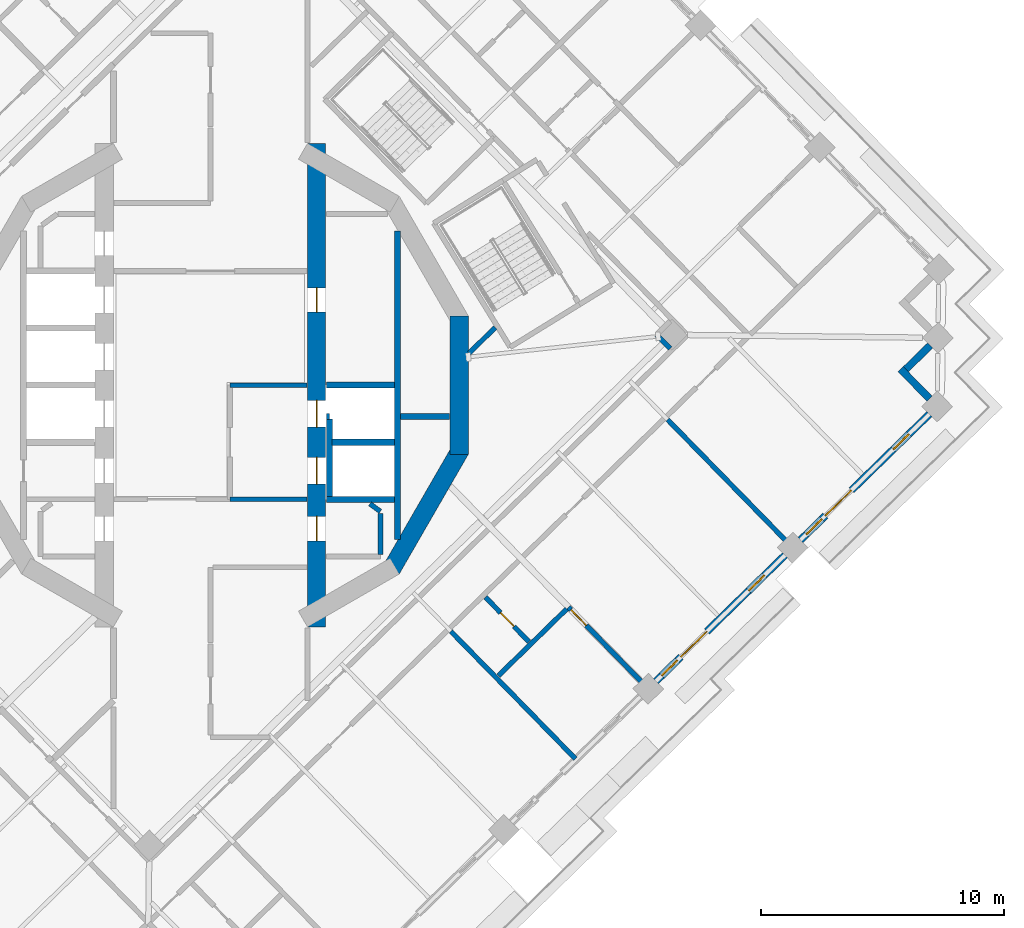
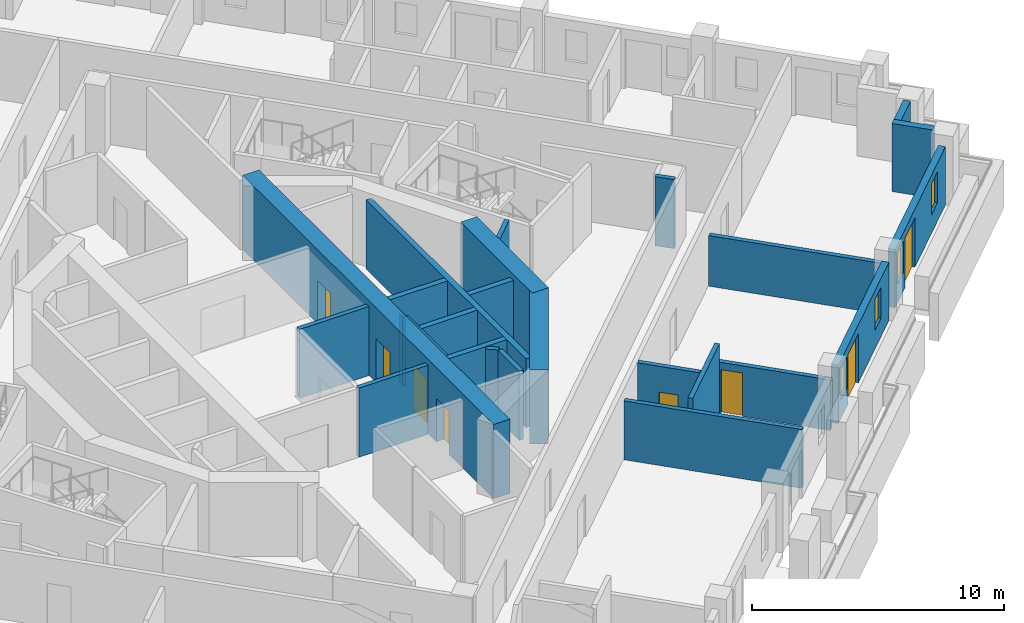
# One storey, part 7 of 17: 25 walls, 8 doors, 4 windows, 12 openings.
"""IFC4 building model written with IfcOpenShell, lengths in metres."""

from ifc_helpers import new_model, si_unit, direction, frame, frame_2d, origin, place, context, subcontext, project, spatial, rectangle, extrude, material, layer, layer_set, type_object, element, fill, save


model = new_model("IFC4")

# Units and contexts
model_context = context("Model", 3, precision=1e-05, world=origin(), true_north=direction((0.0, 1.0)))
body_context = subcontext(model_context, "Body", "Model", "MODEL_VIEW")
ifc_project = project(units=[si_unit("LENGTHUNIT", "METRE"), si_unit("AREAUNIT", "SQUARE_METRE"), si_unit("VOLUMEUNIT", "CUBIC_METRE"), si_unit("PLANEANGLEUNIT", "RADIAN"), si_unit("MASSUNIT", "GRAM", prefix="KILO")], contexts=[model_context])

# Site, building, storey
site_placement = place(None, origin())
site = spatial("IfcSite", under=ifc_project, at=site_placement, CompositionType="ELEMENT")
building_placement = place(site_placement, origin())
building = spatial("IfcBuilding", under=site, at=building_placement, Name="Cantera Rosa Tower", CompositionType="ELEMENT")
storey_placement = place(building_placement, frame((0.0, 0.0, 227.0)))
storey = spatial("IfcBuildingStorey", under=building, at=storey_placement, Name="L49", CompositionType="ELEMENT", Elevation=227.0)

# Walls
ifc_material_1 = material(Name="Hollow clay masonry with cantera stone cladding", Category="masonry")
ifc_layer_1 = layer(ifc_material_1, 0.300048828125)
ifc_layer_set_1 = layer_set([ifc_layer_1], Name="EW-LOGGIA 300")
wall_type_1 = type_object("IfcWallType", Name="EW-LOGGIA 300", PredefinedType="SOLIDWALL", material=ifc_layer_set_1)
wall_1_placement = place(storey_placement, frame((29.623291015625, -0.556884765625, 0.0), z_axis=(0.0, 0.0, 1.0), x_axis=(-0.69880105094, 0.715316077832, 0.0)))
element("IfcWall", 1, at=wall_1_placement, inside=storey, type_object=wall_type_1, Name="EN-L49-W26a", PredefinedType="SOLIDWALL", context=body_context, shape_type="SweptSolid", body=[
    extrude(rectangle(XDim=1.699951171875, YDim=0.300048828125, at=frame_2d((0.85009765625, 0.0))), origin(), (0.0, 0.0, 1.0), 3.300048828125),
])
wall_2_placement = place(storey_placement, frame((28.6474609375, 0.65673828125, 0.0), z_axis=(0.0, 0.0, 1.0), x_axis=(0.715341715727, 0.698774806172, 0.0)))
element("IfcWall", 2, at=wall_2_placement, inside=storey, type_object=wall_type_1, Name="EN-L49-W26b", PredefinedType="SOLIDWALL", context=body_context, shape_type="SweptSolid", body=[
    extrude(rectangle(XDim=1.39990234375, YDim=0.300048828125, at=frame_2d((0.699951171875, 0.0))), origin(), (0.0, 0.0, 1.0), 3.300048828125),
])

# Wall, openings, windows, door
ifc_material_2 = material(Name="Hollow clay masonry with cantera stone cladding", Category="masonry")
ifc_layer_2 = layer(ifc_material_2, 0.300048828125)
ifc_layer_set_2 = layer_set([ifc_layer_2], Name="EW-LOGGIA 300 H2820")
wall_type_2 = type_object("IfcWallType", Name="EW-LOGGIA 300 H2820", PredefinedType="SOLIDWALL", material=ifc_layer_set_2)
wall_3_placement = place(storey_placement, frame((18.357177734375, -12.19287109375, 0.0), z_axis=(0.0, 0.0, 1.0), x_axis=(0.715300826176, 0.698816662703, 0.0)))
wall_3 = element("IfcWall", 3, at=wall_3_placement, inside=storey, type_object=wall_type_2, Name="EN-L49-W24", PredefinedType="SOLIDWALL", context=body_context, shape_type="SweptSolid", body=[
    extrude(rectangle(XDim=7.420166015625, YDim=0.300048828125, at=frame_2d((3.7099609375, 0.0))), origin(), (0.0, 0.0, 1.0), 2.820068359375),
])
opening_1_placement = place(wall_3_placement, frame((0.330078125, 0.0, 0.89990234375)))
opening_1 = element("IfcOpeningElement", 4, at=opening_1_placement, cuts=wall_3, Name="Opening L49-W46", PredefinedType="OPENING", context=body_context, shape_type="SweptSolid", body=[
    extrude(rectangle(XDim=0.89990234375, YDim=1.5, at=frame_2d((0.449951171875, 0.75))), frame((0.0, 0.159912109375, 0.0), z_axis=(0.0, -1.0, 0.0), x_axis=(1.0, 0.0, 0.0)), (0.0, 0.0, 1.0), 0.320068359375),
])
opening_2_placement = place(wall_3_placement, frame((1.429931640625, 0.0, 0.0)))
opening_2 = element("IfcOpeningElement", 5, at=opening_2_placement, cuts=wall_3, Name="Opening L49-TD47", PredefinedType="OPENING", context=body_context, shape_type="SweptSolid", body=[
    extrude(rectangle(XDim=1.5, YDim=2.39990234375, at=frame_2d((0.75, 1.199951171875))), frame((0.0, 0.159912109375, 0.0), z_axis=(0.0, -1.0, 0.0), x_axis=(1.0, 0.0, 0.0)), (0.0, 0.0, 1.0), 0.320068359375),
])
opening_3_placement = place(wall_3_placement, frame((5.340087890625, 0.0, 0.89990234375)))
opening_3 = element("IfcOpeningElement", 6, at=opening_3_placement, cuts=wall_3, Name="Opening L49-W48", PredefinedType="OPENING", context=body_context, shape_type="SweptSolid", body=[
    extrude(rectangle(XDim=0.89990234375, YDim=1.5, at=frame_2d((0.449951171875, 0.75))), frame((0.0, 0.159912109375, 0.0), z_axis=(0.0, -1.0, 0.0), x_axis=(1.0, 0.0, 0.0)), (0.0, 0.0, 1.0), 0.320068359375),
])
ifc_material_3 = material(Name="Aluminium frame with clear glass", Category="aluminium")
window_type = type_object("IfcWindowType", Name="Residential window 900x1500", PartitioningType="SINGLE_PANEL", PredefinedType="WINDOW", material=ifc_material_3)
window_1_placement = place(opening_1_placement, origin())
window_1 = element("IfcWindow", 7, at=window_1_placement, inside=storey, type_object=window_type, Name="WINDOW L49-W46", OverallHeight=1.5, OverallWidth=0.89990234375, PartitioningType="SINGLE_PANEL", PredefinedType="WINDOW", context=body_context, shape_type="SweptSolid", body=[
    extrude(rectangle(XDim=0.89990234375, YDim=1.5, at=frame_2d((0.449951171875, 0.75))), frame((0.0, 0.030029296875, 0.0), z_axis=(0.0, -1.0, 0.0), x_axis=(1.0, 0.0, 0.0)), (0.0, 0.0, 1.0), 0.06005859375),
])
fill(opening_1, window_1)
window_2_placement = place(opening_3_placement, origin())
window_2 = element("IfcWindow", 8, at=window_2_placement, inside=storey, type_object=window_type, Name="WINDOW L49-W48", OverallHeight=1.5, OverallWidth=0.89990234375, PartitioningType="SINGLE_PANEL", PredefinedType="WINDOW", context=body_context, shape_type="SweptSolid", body=[
    extrude(rectangle(XDim=0.89990234375, YDim=1.5, at=frame_2d((0.449951171875, 0.75))), frame((0.0, 0.030029296875, 0.0), z_axis=(0.0, -1.0, 0.0), x_axis=(1.0, 0.0, 0.0)), (0.0, 0.0, 1.0), 0.06005859375),
])
fill(opening_3, window_2)
ifc_material_4 = material(Name="Aluminium frame with clear glass", Category="aluminium")
door_type_1 = type_object("IfcDoorType", Name="TD-R 1500x2400", OperationType="NOTDEFINED", PredefinedType="DOOR", material=ifc_material_4)
door_1_placement = place(opening_2_placement, origin())
door_1 = element("IfcDoor", 9, at=door_1_placement, inside=storey, type_object=door_type_1, Name="LOGGIA DOOR L49-TD47", OperationType="SLIDING_TO_LEFT", OverallHeight=2.39990234375, OverallWidth=1.5, PredefinedType="DOOR", context=body_context, shape_type="SweptSolid", body=[
    extrude(rectangle(XDim=1.5, YDim=2.39990234375, at=frame_2d((0.75, 1.199951171875))), frame((0.0, 0.02490234375, 0.0), z_axis=(0.0, -1.0, 0.0), x_axis=(1.0, 0.0, 0.0)), (0.0, 0.0, 1.0), 0.050048828125),
])
fill(opening_2, door_1)

wall_4_placement = place(storey_placement, frame((24.308349609375, -6.37841796875, 0.0), z_axis=(0.0, 0.0, 1.0), x_axis=(0.715300826176, 0.698816662703, 0.0)))
wall_4 = element("IfcWall", 10, at=wall_4_placement, inside=storey, type_object=wall_type_2, Name="EN-L49-W25", PredefinedType="SOLIDWALL", context=body_context, shape_type="SweptSolid", body=[
    extrude(rectangle(XDim=7.420166015625, YDim=0.300048828125, at=frame_2d((3.7099609375, 0.0))), origin(), (0.0, 0.0, 1.0), 2.820068359375),
])
opening_4_placement = place(wall_4_placement, frame((0.330078125, 0.0, 0.89990234375)))
opening_4 = element("IfcOpeningElement", 11, at=opening_4_placement, cuts=wall_4, Name="Opening L49-W49", PredefinedType="OPENING", context=body_context, shape_type="SweptSolid", body=[
    extrude(rectangle(XDim=0.89990234375, YDim=1.5, at=frame_2d((0.449951171875, 0.75))), frame((0.0, 0.159912109375, 0.0), z_axis=(0.0, -1.0, 0.0), x_axis=(1.0, 0.0, 0.0)), (0.0, 0.0, 1.0), 0.320068359375),
])
opening_5_placement = place(wall_4_placement, frame((1.429931640625, 0.0, 0.0)))
opening_5 = element("IfcOpeningElement", 12, at=opening_5_placement, cuts=wall_4, Name="Opening L49-TD50", PredefinedType="OPENING", context=body_context, shape_type="SweptSolid", body=[
    extrude(rectangle(XDim=1.5, YDim=2.39990234375, at=frame_2d((0.75, 1.199951171875))), frame((0.0, 0.159912109375, 0.0), z_axis=(0.0, -1.0, 0.0), x_axis=(1.0, 0.0, 0.0)), (0.0, 0.0, 1.0), 0.320068359375),
])
opening_6_placement = place(wall_4_placement, frame((5.340087890625, 0.0, 0.89990234375)))
opening_6 = element("IfcOpeningElement", 13, at=opening_6_placement, cuts=wall_4, Name="Opening L49-W51", PredefinedType="OPENING", context=body_context, shape_type="SweptSolid", body=[
    extrude(rectangle(XDim=0.89990234375, YDim=1.5, at=frame_2d((0.449951171875, 0.75))), frame((0.0, 0.159912109375, 0.0), z_axis=(0.0, -1.0, 0.0), x_axis=(1.0, 0.0, 0.0)), (0.0, 0.0, 1.0), 0.320068359375),
])
window_3_placement = place(opening_4_placement, origin())
window_3 = element("IfcWindow", 14, at=window_3_placement, inside=storey, type_object=window_type, Name="WINDOW L49-W49", OverallHeight=1.5, OverallWidth=0.89990234375, PartitioningType="SINGLE_PANEL", PredefinedType="WINDOW", context=body_context, shape_type="SweptSolid", body=[
    extrude(rectangle(XDim=0.89990234375, YDim=1.5, at=frame_2d((0.449951171875, 0.75))), frame((0.0, 0.030029296875, 0.0), z_axis=(0.0, -1.0, 0.0), x_axis=(1.0, 0.0, 0.0)), (0.0, 0.0, 1.0), 0.06005859375),
])
fill(opening_4, window_3)
window_4_placement = place(opening_6_placement, origin())
window_4 = element("IfcWindow", 15, at=window_4_placement, inside=storey, type_object=window_type, Name="WINDOW L49-W51", OverallHeight=1.5, OverallWidth=0.89990234375, PartitioningType="SINGLE_PANEL", PredefinedType="WINDOW", context=body_context, shape_type="SweptSolid", body=[
    extrude(rectangle(XDim=0.89990234375, YDim=1.5, at=frame_2d((0.449951171875, 0.75))), frame((0.0, 0.030029296875, 0.0), z_axis=(0.0, -1.0, 0.0), x_axis=(1.0, 0.0, 0.0)), (0.0, 0.0, 1.0), 0.06005859375),
])
fill(opening_6, window_4)
door_2_placement = place(opening_5_placement, origin())
door_2 = element("IfcDoor", 16, at=door_2_placement, inside=storey, type_object=door_type_1, Name="LOGGIA DOOR L49-TD50", OperationType="SLIDING_TO_LEFT", OverallHeight=2.39990234375, OverallWidth=1.5, PredefinedType="DOOR", context=body_context, shape_type="SweptSolid", body=[
    extrude(rectangle(XDim=1.5, YDim=2.39990234375, at=frame_2d((0.75, 1.199951171875))), frame((0.0, 0.02490234375, 0.0), z_axis=(0.0, -1.0, 0.0), x_axis=(1.0, 0.0, 0.0)), (0.0, 0.0, 1.0), 0.050048828125),
])
fill(opening_5, door_2)

# Wall, opening, door
ifc_material_5 = material(Name="Gypsum board partition")
ifc_layer_3 = layer(ifc_material_5, 0.199951171875)
ifc_layer_set_3 = layer_set([ifc_layer_3], Name="PARTITION 200 H2450")
wall_type_3 = type_object("IfcWallType", Name="PARTITION 200 H2450", PredefinedType="PARTITIONING", material=ifc_layer_set_3)
wall_5_placement = place(storey_placement, frame((14.7509765625, -9.1455078125, 0.0), z_axis=(0.0, 0.0, 1.0), x_axis=(0.698824761261, -0.71529291416, 0.0)))
wall_5 = element("IfcWall", 17, at=wall_5_placement, inside=storey, type_object=wall_type_3, Name="PARTITION L49-110", PredefinedType="PARTITIONING", context=body_context, shape_type="SweptSolid", body=[
    extrude(rectangle(XDim=4.669921875, YDim=0.199951171875, at=frame_2d((2.3349609375, 0.0))), origin(), (0.0, 0.0, 1.0), 2.449951171875),
])
opening_7_placement = place(wall_5_placement, frame((0.14990234375, 0.0, 0.0)))
opening_7 = element("IfcOpeningElement", 18, at=opening_7_placement, cuts=wall_5, Name="Opening L49-046", PredefinedType="OPENING", context=body_context, shape_type="SweptSolid", body=[
    extrude(rectangle(XDim=0.89990234375, YDim=2.10009765625, at=frame_2d((0.449951171875, 1.050048828125))), frame((0.0, 0.10986328125, 0.0), z_axis=(0.0, -1.0, 0.0), x_axis=(1.0, 0.0, 0.0)), (0.0, 0.0, 1.0), 0.219970703125),
])
ifc_material_6 = material(Name="Timber door leaf", Category="wood")
door_type_2 = type_object("IfcDoorType", Name="ROOM DOOR 900x2100", OperationType="NOTDEFINED", PredefinedType="DOOR", material=ifc_material_6)
door_3_placement = place(opening_7_placement, origin())
door_3 = element("IfcDoor", 19, at=door_3_placement, inside=storey, type_object=door_type_2, Name="DOOR L49-046", OperationType="NOTDEFINED", OverallHeight=2.10009765625, OverallWidth=0.89990234375, PredefinedType="DOOR", context=body_context, shape_type="SweptSolid", body=[
    extrude(rectangle(XDim=0.89990234375, YDim=2.10009765625, at=frame_2d((0.449951171875, 1.050048828125))), frame((0.0, 0.02490234375, 0.0), z_axis=(0.0, -1.0, 0.0), x_axis=(1.0, 0.0, 0.0)), (0.0, 0.0, 1.0), 0.050048828125),
])
fill(opening_7, door_3)

# Walls
ifc_material_7 = material(Name="Gypsum board partition")
ifc_layer_4 = layer(ifc_material_7, 0.199951171875)
ifc_layer_set_4 = layer_set([ifc_layer_4], Name="PARTITION 200 H3350")
wall_type_4 = type_object("IfcWallType", Name="PARTITION 200 H3350", PredefinedType="PARTITIONING", material=ifc_layer_set_4)
wall_6_placement = place(storey_placement, frame((6.572509765625, -4.888427734375, 0.0), z_axis=(0.0, 0.0, 1.0), x_axis=(0.808176867567, -0.588939853236, 0.0)))
element("IfcWall", 20, at=wall_6_placement, inside=storey, type_object=wall_type_4, Name="PARTITION L49-081", PredefinedType="PARTITIONING", context=body_context, shape_type="SweptSolid", body=[
    extrude(rectangle(XDim=0.529052734375, YDim=0.199951171875, at=frame_2d((0.2646484375, 0.0))), origin(), (0.0, 0.0, 1.0), 3.35009765625),
])
wall_7_placement = place(storey_placement, frame((7.0, -5.280029296875, 0.0), z_axis=(0.0, 0.0, 1.0), x_axis=(0.0, -1.0, 0.0)))
element("IfcWall", 21, at=wall_7_placement, inside=storey, type_object=wall_type_4, Name="PARTITION L49-084", PredefinedType="PARTITIONING", context=body_context, shape_type="SweptSolid", body=[
    extrude(rectangle(XDim=1.68994140625, YDim=0.199951171875, at=frame_2d((0.844970703125, 0.0))), origin(), (0.0, 0.0, 1.0), 3.35009765625),
])
wall_8_placement = place(storey_placement, frame((10.6552734375, 1.32275390625, 0.0), z_axis=(0.0, 0.0, 1.0), x_axis=(0.715227626276, 0.698891581443, 0.0)))
element("IfcWall", 22, at=wall_8_placement, inside=storey, type_object=wall_type_4, Name="PARTITION L49-095", PredefinedType="PARTITIONING", context=body_context, shape_type="SweptSolid", body=[
    extrude(rectangle(XDim=1.509521484375, YDim=0.199951171875, at=frame_2d((0.7548828125, 0.0))), origin(), (0.0, 0.0, 1.0), 3.35009765625),
])

# Wall, opening, door
wall_9_placement = place(storey_placement, frame((11.3330078125, -8.73779296875, 0.0), z_axis=(0.0, 0.0, 1.0), x_axis=(0.698809886965, -0.715307445705, 0.0)))
wall_9 = element("IfcWall", 23, at=wall_9_placement, inside=storey, type_object=wall_type_4, Name="PARTITION L49-097", PredefinedType="PARTITIONING", context=body_context, shape_type="SweptSolid", body=[
    extrude(rectangle(XDim=2.56005859375, YDim=0.199951171875, at=frame_2d((1.280029296875, 0.0))), origin(), (0.0, 0.0, 1.0), 3.35009765625),
])
opening_8_placement = place(wall_9_placement, frame((0.8798828125, 0.0, 0.0)))
opening_8 = element("IfcOpeningElement", 24, at=opening_8_placement, cuts=wall_9, Name="Opening L49-045", PredefinedType="OPENING", context=body_context, shape_type="SweptSolid", body=[
    extrude(rectangle(XDim=0.800048828125, YDim=2.10009765625, at=frame_2d((0.39990234375, 1.050048828125))), frame((0.0, 0.10986328125, 0.0), z_axis=(0.0, -1.0, 0.0), x_axis=(1.0, 0.0, 0.0)), (0.0, 0.0, 1.0), 0.219970703125),
])
ifc_material_8 = material(Name="Timber door leaf", Category="wood")
door_type_3 = type_object("IfcDoorType", Name="BATHROOM DOOR 800x2100", OperationType="NOTDEFINED", PredefinedType="DOOR", material=ifc_material_8)
door_4_placement = place(opening_8_placement, origin())
door_4 = element("IfcDoor", 25, at=door_4_placement, inside=storey, type_object=door_type_3, Name="DOOR L49-045", OperationType="NOTDEFINED", OverallHeight=2.10009765625, OverallWidth=0.800048828125, PredefinedType="DOOR", context=body_context, shape_type="SweptSolid", body=[
    extrude(rectangle(XDim=0.800048828125, YDim=2.10009765625, at=frame_2d((0.39990234375, 1.050048828125))), frame((0.0, 0.02490234375, 0.0), z_axis=(0.0, -1.0, 0.0), x_axis=(1.0, 0.0, 0.0)), (0.0, 0.0, 1.0), 0.050048828125),
])
fill(opening_8, door_4)

# Walls
wall_10_placement = place(storey_placement, frame((14.679443359375, -9.21533203125, 0.0), z_axis=(0.0, 0.0, 1.0), x_axis=(-0.715299823185, -0.698817689352, 0.0)))
element("IfcWall", 26, at=wall_10_placement, inside=storey, type_object=wall_type_4, Name="PARTITION L49-109", PredefinedType="PARTITIONING", context=body_context, shape_type="SweptSolid", body=[
    extrude(rectangle(XDim=3.940185546875, YDim=0.199951171875, at=frame_2d((1.97021484375, 0.0))), origin(), (0.0, 0.0, 1.0), 3.35009765625),
])
wall_11_placement = place(storey_placement, frame((18.375, 2.08447265625, 0.0), z_axis=(0.0, 0.0, 1.0), x_axis=(0.698819420598, -0.715298131827, 0.0)))
element("IfcWall", 27, at=wall_11_placement, inside=storey, type_object=wall_type_4, Name="PARTITION L49-114", PredefinedType="PARTITIONING", context=body_context, shape_type="SweptSolid", body=[
    extrude(rectangle(XDim=0.800048828125, YDim=0.199951171875, at=frame_2d((0.39990234375, 0.0))), origin(), (0.0, 0.0, 1.0), 3.35009765625),
])
ifc_material_9 = material(Name="Gypsum board partition")
ifc_layer_5 = layer(ifc_material_9, 0.199951171875)
ifc_layer_set_5 = layer_set([ifc_layer_5], Name="PARTY WALL 200 H2450")
wall_type_5 = type_object("IfcWallType", Name="PARTY WALL 200 H2450", PredefinedType="PARTITIONING", material=ifc_layer_set_5)
wall_12_placement = place(storey_placement, frame((18.8291015625, -1.414306640625, 0.0), z_axis=(0.0, 0.0, 1.0), x_axis=(0.698854556514, -0.71526380367, 0.0)))
element("IfcWall", 28, at=wall_12_placement, inside=storey, type_object=wall_type_5, Name="PARTY WALL L49-115", PredefinedType="PARTITIONING", context=body_context, shape_type="SweptSolid", body=[
    extrude(rectangle(XDim=7.349853515625, YDim=0.199951171875, at=frame_2d((3.6748046875, 0.0))), origin(), (0.0, 0.0, 1.0), 2.449951171875),
])
ifc_material_10 = material(Name="Gypsum board partition")
ifc_layer_6 = layer(ifc_material_10, 0.199951171875)
ifc_layer_set_6 = layer_set([ifc_layer_6], Name="PARTY WALL 200 H2850")
wall_type_6 = type_object("IfcWallType", Name="PARTY WALL 200 H2850", PredefinedType="PARTITIONING", material=ifc_layer_set_6)
wall_13_placement = place(storey_placement, frame((9.90234375, -10.135498046875, 0.0), z_axis=(0.0, 0.0, 1.0), x_axis=(0.698821349183, -0.715296247667, 0.0)))
element("IfcWall", 29, at=wall_13_placement, inside=storey, type_object=wall_type_6, Name="PARTY WALL L49-094", PredefinedType="PARTITIONING", context=body_context, shape_type="SweptSolid", body=[
    extrude(rectangle(XDim=7.35009765625, YDim=0.199951171875, at=frame_2d((3.675048828125, 0.0))), origin(), (0.0, 0.0, 1.0), 2.85009765625),
])
ifc_material_11 = material(Name="Concrete C60/75", Category="concrete")
ifc_layer_7 = layer(ifc_material_11, 0.75)
ifc_layer_set_7 = layer_set([ifc_layer_7], Name="RC CORE WALL 750 C60/75")
wall_type_7 = type_object("IfcWallType", Name="RC CORE WALL 750 C60/75", PredefinedType="SHEAR", material=ifc_layer_set_7)
wall_14_placement = place(storey_placement, frame((10.250244140625, 2.846923828125, 0.0), z_axis=(0.0, 0.0, 1.0), x_axis=(0.0, -1.0, 0.0)))
element("IfcWall", 30, at=wall_14_placement, inside=storey, type_object=wall_type_7, Name="CW-E3 L49", PredefinedType="SHEAR", context=body_context, shape_type="SweptSolid", body=[
    extrude(rectangle(XDim=5.69384765625, YDim=0.75, at=frame_2d((2.846923828125, 0.0))), origin(), (0.0, 0.0, 1.0), 3.60009765625),
])
wall_15_placement = place(storey_placement, frame((10.300537109375, -2.659423828125, 0.0), z_axis=(0.0, 0.0, 1.0), x_axis=(-0.500021842983, -0.866012792365, 0.0)))
element("IfcWall", 31, at=wall_15_placement, inside=storey, type_object=wall_type_7, Name="CW-E4 L49", PredefinedType="SHEAR", context=body_context, shape_type="SweptSolid", body=[
    extrude(rectangle(XDim=5.694091796875, YDim=0.75, at=frame_2d((2.84716796875, 0.0))), origin(), (0.0, 0.0, 1.0), 3.60009765625),
])

# Wall, openings, doors
wall_16_placement = place(storey_placement, frame((4.375, -9.95947265625, 0.0), z_axis=(0.0, 0.0, 1.0), x_axis=(0.0, 1.0, 0.0)))
wall_16 = element("IfcWall", 32, at=wall_16_placement, inside=storey, type_object=wall_type_7, Name="CW-E6 L49", PredefinedType="SHEAR", context=body_context, shape_type="SweptSolid", body=[
    extrude(rectangle(XDim=19.9189453125, YDim=0.75, at=frame_2d((9.95947265625, 0.0))), origin(), (0.0, 0.0, 1.0), 3.60009765625),
])
opening_9_placement = place(wall_16_placement, frame((5.884521484375, 0.0, 0.0)))
opening_9 = element("IfcOpeningElement", 33, at=opening_9_placement, cuts=wall_16, Name="Opening LD-FF1-L49", PredefinedType="OPENING", context=body_context, shape_type="SweptSolid", body=[
    extrude(rectangle(XDim=1.10009765625, YDim=2.10009765625, at=frame_2d((0.550048828125, 1.050048828125))), frame((0.0, 0.385009765625, 0.0), z_axis=(0.0, -1.0, 0.0), x_axis=(1.0, 0.0, 0.0)), (0.0, 0.0, 1.0), 0.77001953125),
])
opening_10_placement = place(wall_16_placement, frame((8.234619140625, 0.0, 0.0)))
opening_10 = element("IfcOpeningElement", 34, at=opening_10_placement, cuts=wall_16, Name="Opening LD-FF2-L49", PredefinedType="OPENING", context=body_context, shape_type="SweptSolid", body=[
    extrude(rectangle(XDim=1.10009765625, YDim=2.10009765625, at=frame_2d((0.550048828125, 1.050048828125))), frame((0.0, 0.385009765625, 0.0), z_axis=(0.0, -1.0, 0.0), x_axis=(1.0, 0.0, 0.0)), (0.0, 0.0, 1.0), 0.77001953125),
])
opening_11_placement = place(wall_16_placement, frame((3.55078125, 0.0, 0.0)))
opening_11 = element("IfcOpeningElement", 35, at=opening_11_placement, cuts=wall_16, Name="Opening SD-L49-23", PredefinedType="OPENING", context=body_context, shape_type="SweptSolid", body=[
    extrude(rectangle(XDim=1.0, YDim=2.10009765625, at=frame_2d((0.5, 1.050048828125))), frame((0.0, 0.385009765625, 0.0), z_axis=(0.0, -1.0, 0.0), x_axis=(1.0, 0.0, 0.0)), (0.0, 0.0, 1.0), 0.77001953125),
])
opening_12_placement = place(wall_16_placement, frame((12.9658203125, 0.0, 0.0)))
opening_12 = element("IfcOpeningElement", 36, at=opening_12_placement, cuts=wall_16, Name="Opening SD-L49-24", PredefinedType="OPENING", context=body_context, shape_type="SweptSolid", body=[
    extrude(rectangle(XDim=1.0, YDim=2.10009765625, at=frame_2d((0.5, 1.050048828125))), frame((0.0, 0.385009765625, 0.0), z_axis=(0.0, -1.0, 0.0), x_axis=(1.0, 0.0, 0.0)), (0.0, 0.0, 1.0), 0.77001953125),
])
ifc_material_12 = material(Name="Steel S355J2 (EN 10025-2)", Category="steel")
door_type_4 = type_object("IfcDoorType", Name="LANDING DOOR 1100x2100", OperationType="NOTDEFINED", PredefinedType="DOOR", material=ifc_material_12)
door_5_placement = place(opening_9_placement, origin())
door_5 = element("IfcDoor", 37, at=door_5_placement, inside=storey, type_object=door_type_4, Name="LANDING DOOR FF1 L49", OperationType="SLIDING_TO_LEFT", OverallHeight=2.10009765625, OverallWidth=1.10009765625, PredefinedType="DOOR", context=body_context, shape_type="SweptSolid", body=[
    extrude(rectangle(XDim=1.10009765625, YDim=2.10009765625, at=frame_2d((0.550048828125, 1.050048828125))), frame((0.0, 0.02490234375, 0.0), z_axis=(0.0, -1.0, 0.0), x_axis=(1.0, 0.0, 0.0)), (0.0, 0.0, 1.0), 0.050048828125),
])
fill(opening_9, door_5)
door_6_placement = place(opening_10_placement, origin())
door_6 = element("IfcDoor", 38, at=door_6_placement, inside=storey, type_object=door_type_4, Name="LANDING DOOR FF2 L49", OperationType="SLIDING_TO_LEFT", OverallHeight=2.10009765625, OverallWidth=1.10009765625, PredefinedType="DOOR", context=body_context, shape_type="SweptSolid", body=[
    extrude(rectangle(XDim=1.10009765625, YDim=2.10009765625, at=frame_2d((0.550048828125, 1.050048828125))), frame((0.0, 0.02490234375, 0.0), z_axis=(0.0, -1.0, 0.0), x_axis=(1.0, 0.0, 0.0)), (0.0, 0.0, 1.0), 0.050048828125),
])
fill(opening_10, door_6)
ifc_material_13 = material(Name="Timber door leaf", Category="wood")
door_type_5 = type_object("IfcDoorType", Name="SERVICE DOOR 1000x2100", OperationType="NOTDEFINED", PredefinedType="DOOR", material=ifc_material_13)
door_7_placement = place(opening_11_placement, origin())
door_7 = element("IfcDoor", 39, at=door_7_placement, inside=storey, type_object=door_type_5, Name="DOOR L49-SD23", OperationType="NOTDEFINED", OverallHeight=2.10009765625, OverallWidth=1.0, PredefinedType="DOOR", context=body_context, shape_type="SweptSolid", body=[
    extrude(rectangle(XDim=1.0, YDim=2.10009765625, at=frame_2d((0.5, 1.050048828125))), frame((0.0, 0.02490234375, 0.0), z_axis=(0.0, -1.0, 0.0), x_axis=(1.0, 0.0, 0.0)), (0.0, 0.0, 1.0), 0.050048828125),
])
fill(opening_11, door_7)
door_8_placement = place(opening_12_placement, origin())
door_8 = element("IfcDoor", 40, at=door_8_placement, inside=storey, type_object=door_type_5, Name="DOOR L49-SD24", OperationType="NOTDEFINED", OverallHeight=2.10009765625, OverallWidth=1.0, PredefinedType="DOOR", context=body_context, shape_type="SweptSolid", body=[
    extrude(rectangle(XDim=1.0, YDim=2.10009765625, at=frame_2d((0.5, 1.050048828125))), frame((0.0, 0.02490234375, 0.0), z_axis=(0.0, -1.0, 0.0), x_axis=(1.0, 0.0, 0.0)), (0.0, 0.0, 1.0), 0.050048828125),
])
fill(opening_12, door_8)

# Walls
ifc_material_14 = material(Name="Masonry blockwork", Category="masonry")
ifc_layer_8 = layer(ifc_material_14, 0.25)
ifc_layer_set_8 = layer_set([ifc_layer_8], Name="SHAFT WALL 250 H3350")
wall_type_8 = type_object("IfcWallType", Name="SHAFT WALL 250 H3350", PredefinedType="SOLIDWALL", material=ifc_layer_set_8)
wall_17_placement = place(storey_placement, frame((4.780029296875, -1.28271484375, 0.0), z_axis=(0.0, 0.0, 1.0), x_axis=(1.0, 0.0, 0.0)))
element("IfcWall", 41, at=wall_17_placement, inside=storey, type_object=wall_type_8, Name="SHAFT WALL L49-076", PredefinedType="SOLIDWALL", context=body_context, shape_type="SweptSolid", body=[
    extrude(rectangle(XDim=0.119873046875, YDim=0.25, at=frame_2d((0.06005859375, 0.0))), origin(), (0.0, 0.0, 1.0), 3.35009765625),
])
wall_18_placement = place(storey_placement, frame((4.89990234375, -1.402587890625, 0.0), z_axis=(0.0, 0.0, 1.0), x_axis=(0.0, -1.0, 0.0)))
element("IfcWall", 42, at=wall_18_placement, inside=storey, type_object=wall_type_8, Name="SHAFT WALL L49-078", PredefinedType="SOLIDWALL", context=body_context, shape_type="SweptSolid", body=[
    extrude(rectangle(XDim=3.17236328125, YDim=0.25, at=frame_2d((1.586181640625, 0.0))), origin(), (0.0, 0.0, 1.0), 3.35009765625),
])
wall_19_placement = place(storey_placement, frame((7.699951171875, -6.353515625, 0.0), z_axis=(0.0, 0.0, 1.0), x_axis=(0.0, 1.0, 0.0)))
element("IfcWall", 43, at=wall_19_placement, inside=storey, type_object=wall_type_8, Name="SHAFT WALL L49-086", PredefinedType="SOLIDWALL", context=body_context, shape_type="SweptSolid", body=[
    extrude(rectangle(XDim=12.70703125, YDim=0.25, at=frame_2d((6.353515625, 0.0))), origin(), (0.0, 0.0, 1.0), 3.35009765625),
])
wall_20_placement = place(storey_placement, frame((7.574951171875, -4.699951171875, 0.0), z_axis=(0.0, 0.0, 1.0), x_axis=(-1.0, 0.0, 0.0)))
element("IfcWall", 44, at=wall_20_placement, inside=storey, type_object=wall_type_8, Name="SHAFT WALL L49-087", PredefinedType="SOLIDWALL", context=body_context, shape_type="SweptSolid", body=[
    extrude(rectangle(XDim=2.794921875, YDim=0.25, at=frame_2d((1.3974609375, 0.0))), origin(), (0.0, 0.0, 1.0), 3.35009765625),
])
wall_21_placement = place(storey_placement, frame((7.574951171875, -2.35009765625, 0.0), z_axis=(0.0, 0.0, 1.0), x_axis=(-1.0, 0.0, 0.0)))
element("IfcWall", 45, at=wall_21_placement, inside=storey, type_object=wall_type_8, Name="SHAFT WALL L49-088", PredefinedType="SOLIDWALL", context=body_context, shape_type="SweptSolid", body=[
    extrude(rectangle(XDim=2.56005859375, YDim=0.25, at=frame_2d((1.280029296875, 0.0))), origin(), (0.0, 0.0, 1.0), 3.35009765625),
])
wall_22_placement = place(storey_placement, frame((7.824951171875, -1.28271484375, 0.0), z_axis=(0.0, 0.0, 1.0), x_axis=(1.0, 0.0, 0.0)))
element("IfcWall", 46, at=wall_22_placement, inside=storey, type_object=wall_type_8, Name="SHAFT WALL L49-089", PredefinedType="SOLIDWALL", context=body_context, shape_type="SweptSolid", body=[
    extrude(rectangle(XDim=2.020263671875, YDim=0.25, at=frame_2d((1.01025390625, 0.0))), origin(), (0.0, 0.0, 1.0), 3.35009765625),
])
wall_23_placement = place(storey_placement, frame((7.574951171875, 0.0, 0.0), z_axis=(0.0, 0.0, 1.0), x_axis=(-1.0, 0.0, 0.0)))
element("IfcWall", 47, at=wall_23_placement, inside=storey, type_object=wall_type_8, Name="SHAFT WALL L49-090", PredefinedType="SOLIDWALL", context=body_context, shape_type="SweptSolid", body=[
    extrude(rectangle(XDim=2.794921875, YDim=0.25, at=frame_2d((1.3974609375, 0.0))), origin(), (0.0, 0.0, 1.0), 3.35009765625),
])
ifc_material_15 = material(Name="Concrete C50/60", Category="concrete")
ifc_layer_9 = layer(ifc_material_15, 0.199951171875)
ifc_layer_set_9 = layer_set([ifc_layer_9], Name="STAIR WALL 200 H3350")
wall_type_9 = type_object("IfcWallType", Name="STAIR WALL 200 H3350", PredefinedType="SOLIDWALL", material=ifc_layer_set_9)
for number, where, z_axis, x_axis, name in (
    (48, (0.800048828125, 0.0, 0.0), (0.0, 0.0, 1.0), (1.0, 0.0, 0.0), "STAIR WALL L49-064"),
    (49, (3.969970703125, -4.699951171875, 0.0), (0.0, 0.0, 1.0), (-1.0, 0.0, 0.0), "STAIR WALL L49-072"),
):
    element("IfcWall", number, at=place(storey_placement, frame(where, z_axis=z_axis, x_axis=x_axis)), inside=storey, type_object=wall_type_9, Name=name, PredefinedType="SOLIDWALL", context=body_context, shape_type="SweptSolid", body=[
        extrude(rectangle(XDim=3.169921875, YDim=0.199951171875, at=frame_2d((1.5849609375, 0.0))), origin(), (0.0, 0.0, 1.0), 3.35009765625),
    ])

save(model, "model.ifc")
